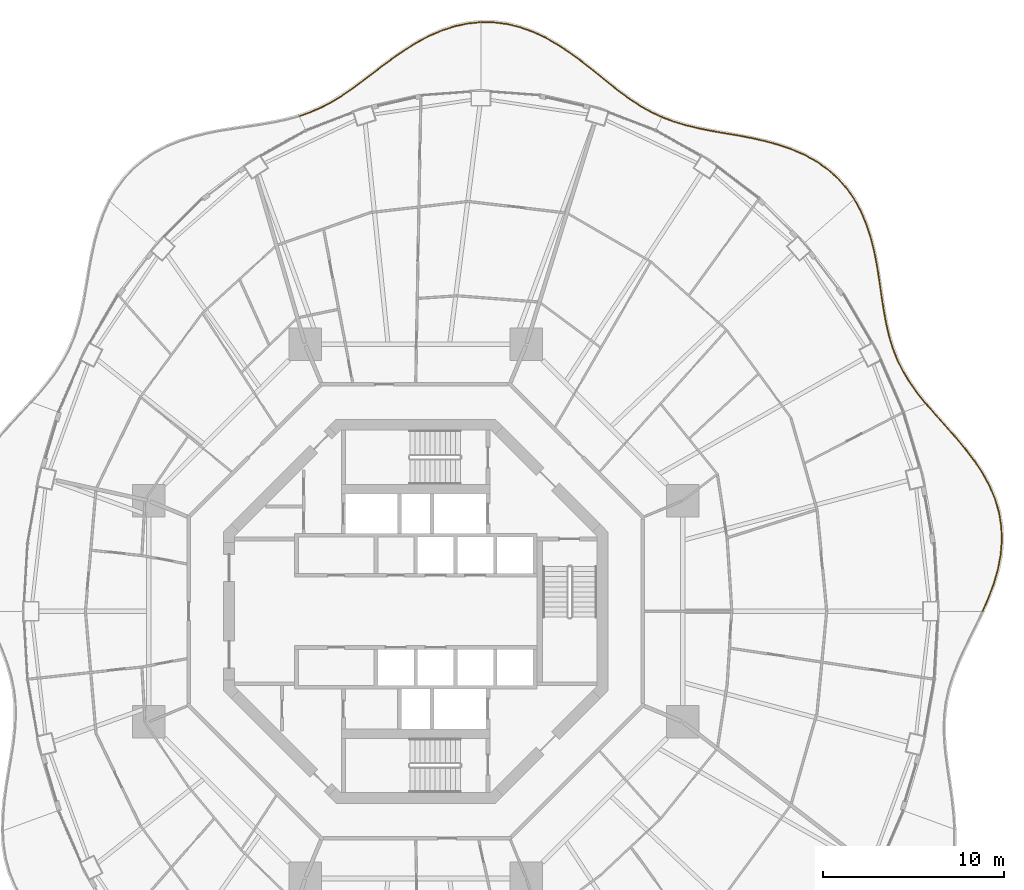
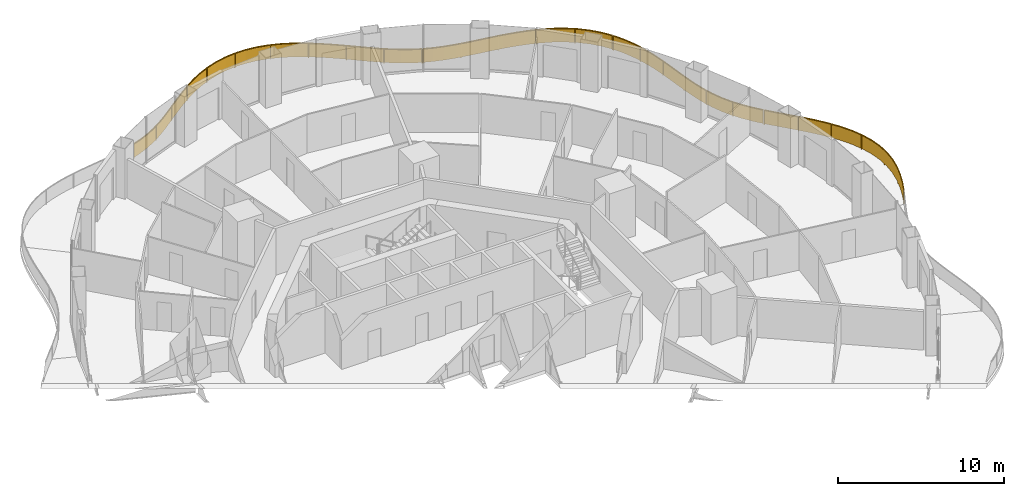
# One storey, part 19 of 19: 5 railings.
"""IFC4 building model written with IfcOpenShell, lengths in metres."""

from ifc_helpers import new_model, si_unit, direction, frame, origin, origin_2d, place, context, subcontext, project, spatial, polyline, rectangle, outline, extrude, material, type_object, element, save


model = new_model("IFC4")

# Units and contexts
model_context = context("Model", 3, precision=1e-05, world=origin(), true_north=direction((0.0, 1.0)))
body_context = subcontext(model_context, "Body", "Model", "MODEL_VIEW")
ifc_project = project(units=[si_unit("LENGTHUNIT", "METRE"), si_unit("AREAUNIT", "SQUARE_METRE"), si_unit("VOLUMEUNIT", "CUBIC_METRE"), si_unit("PLANEANGLEUNIT", "RADIAN"), si_unit("MASSUNIT", "GRAM", prefix="KILO")], contexts=[model_context])

# Site, building, storey
site_placement = place(None, origin())
site = spatial("IfcSite", under=ifc_project, at=site_placement, CompositionType="ELEMENT")
building_placement = place(site_placement, origin())
building = spatial("IfcBuilding", under=site, at=building_placement, Name="Nagisa Residences", CompositionType="ELEMENT")
storey_placement = place(building_placement, frame((0.0, 0.0, 188.10009765625)))
storey = spatial("IfcBuildingStorey", under=building, at=storey_placement, Name="L47", CompositionType="ELEMENT", Elevation=188.10009765625)

# Railings
ifc_material = material(Name="Stainless steel 316", Category="steel")
railing_type = type_object("IfcRailingType", Name="BALCONY GUARD 1100", PredefinedType="BALUSTRADE", material=ifc_material)
railing_1_placement = place(storey_placement, frame((31.377685546875, 0.034912109375, 0.0)))
element("IfcRailing", 1, at=railing_1_placement, inside=storey, type_object=railing_type, Name="guard:L47:bal00-0", PredefinedType="BALUSTRADE", context=body_context, shape_type="SweptSolid", body=[
    extrude(outline(polyline([(0.2939453125, 0.733154296875), (-0.02294921875, 0.010009765625), (0.02294921875, -0.010009765625), (0.34033203125, 0.714599609375), (0.6298828125, 1.494873046875), (0.8583984375, 2.28564453125), (1.010986328125, 3.082275390625), (1.07568359375, 3.8798828125), (1.046875, 4.657958984375), (0.918701171875, 5.4384765625), (0.6943359375, 6.2021484375), (0.379638671875, 6.943603515625), (-0.013916015625, 7.660400390625), (-0.469970703125, 8.337158203125), (-0.97802734375, 9.00146484375), (-1.516357421875, 9.64208984375), (-2.066650390625, 10.262939453125), (-2.610107421875, 10.8701171875), (-3.10302734375, 11.4365234375), (-3.140625, 11.40380859375), (-2.647705078125, 10.8369140625), (-2.104248046875, 10.229736328125), (-1.554443359375, 9.609375), (-1.01708984375, 8.97021484375), (-0.510498046875, 8.307861328125), (-0.056884765625, 7.634521484375), (0.334716796875, 6.921630859375), (0.64697265625, 6.18505859375), (0.869873046875, 5.42724609375), (0.9970703125, 4.653076171875), (1.025390625, 3.880859375), (0.961181640625, 3.089111328125), (0.8095703125, 2.29736328125), (0.58251953125, 1.510498046875), (0.2939453125, 0.733154296875)])), frame((0.0, 0.0, 1.050048828125)), (0.0, 0.0, 1.0), 0.050048828125),
    extrude(outline(polyline([(0.310546875, 0.7265625), (-0.00634765625, 0.0029296875), (0.00634765625, -0.0029296875), (0.32373046875, 0.72119140625), (0.61279296875, 1.50048828125), (0.8408203125, 2.289794921875), (0.992919921875, 3.084716796875), (1.0576171875, 3.880126953125), (1.029052734375, 4.65625), (0.901123046875, 5.434326171875), (0.67724609375, 6.196044921875), (0.363525390625, 6.935791015625), (-0.029296875, 7.651123046875), (-0.484619140625, 8.32666015625), (-0.9921875, 8.990234375), (-1.530029296875, 9.63037109375), (-2.080322265625, 10.2509765625), (-2.623779296875, 10.858154296875), (-3.116455078125, 11.4248046875), (-3.127197265625, 11.41552734375), (-2.634033203125, 10.848876953125), (-2.090576171875, 10.24169921875), (-1.540771484375, 9.62109375), (-1.0029296875, 8.9814453125), (-0.495849609375, 8.318359375), (-0.04150390625, 7.643798828125), (0.350830078125, 6.929443359375), (0.6640625, 6.191162109375), (0.887451171875, 5.431396484375), (1.014892578125, 4.65478515625), (1.04345703125, 3.880615234375), (0.979248046875, 3.086669921875), (0.8271484375, 2.293212890625), (0.599609375, 1.5048828125), (0.310546875, 0.7265625)])), frame((0.0, 0.0, 0.06005859375)), (0.0, 0.0, 1.0), 0.989990234375),
    extrude(rectangle(XDim=0.0400390625, YDim=0.0400390625, at=origin_2d()), origin(), (0.0, 0.0, 1.0), 1.050048828125),
    extrude(rectangle(XDim=0.0400390625, YDim=0.0400390625, at=origin_2d()), frame((0.753173828125, 2.01123046875, 0.0)), (0.0, 0.0, 1.0), 1.050048828125),
    extrude(rectangle(XDim=0.0400390625, YDim=0.0400390625, at=origin_2d()), frame((1.041259765625, 4.133056640625, 0.0)), (0.0, 0.0, 1.0), 1.050048828125),
    extrude(rectangle(XDim=0.0400390625, YDim=0.0400390625, at=origin_2d()), frame((0.65234375, 6.23681640625, 0.0)), (0.0, 0.0, 1.0), 1.050048828125),
    extrude(rectangle(XDim=0.0400390625, YDim=0.0400390625, at=origin_2d()), frame((-0.359130859375, 8.1279296875, 0.0)), (0.0, 0.0, 1.0), 1.050048828125),
    extrude(rectangle(XDim=0.0400390625, YDim=0.0400390625, at=origin_2d()), frame((-1.69775390625, 9.808837890625, 0.0)), (0.0, 0.0, 1.0), 1.050048828125),
    extrude(rectangle(XDim=0.0400390625, YDim=0.0400390625, at=origin_2d()), frame((-3.121826171875, 11.420166015625, 0.0)), (0.0, 0.0, 1.0), 1.050048828125),
])
railing_2_placement = place(storey_placement, frame((28.20703125, 11.51025390625, 0.0)))
element("IfcRailing", 2, at=railing_2_placement, inside=storey, type_object=railing_type, Name="guard:L47:bal01-0", PredefinedType="BALUSTRADE", context=body_context, shape_type="SweptSolid", body=[
    extrude(outline(polyline([(-0.4619140625, 0.533203125), (-0.01953125, -0.015625), (0.01953125, 0.015625), (-0.421875, 0.5634765625), (-0.843505859375, 1.15380859375), (-1.212646484375, 1.7587890625), (-1.5263671875, 2.38525390625), (-1.78564453125, 3.037841796875), (-1.98828125, 3.70703125), (-2.15576171875, 4.420166015625), (-2.291748046875, 5.162841796875), (-2.41015625, 5.931396484375), (-2.52490234375, 6.72021484375), (-2.643310546875, 7.50830078125), (-2.796875, 8.311279296875), (-2.99169921875, 9.10498046875), (-3.23974609375, 9.8779296875), (-3.55078125, 10.617919921875), (-3.906982421875, 11.272705078125), (-3.950927734375, 11.248779296875), (-3.595703125, 10.596435546875), (-3.28662109375, 9.8603515625), (-3.0400390625, 9.09130859375), (-2.845703125, 8.300537109375), (-2.692626953125, 7.5), (-2.57421875, 6.712890625), (-2.45947265625, 5.924072265625), (-2.341064453125, 5.154541015625), (-2.20458984375, 4.409912109375), (-2.03662109375, 3.69384765625), (-1.8330078125, 3.021240234375), (-1.572265625, 2.36474609375), (-1.256591796875, 1.734375), (-0.885498046875, 1.1259765625), (-0.4619140625, 0.533203125)])), frame((0.0, 0.0, 1.050048828125)), (0.0, 0.0, 1.0), 0.050048828125),
    extrude(outline(polyline([(-0.447509765625, 0.544189453125), (-0.00537109375, -0.00439453125), (0.00537109375, 0.00439453125), (-0.436279296875, 0.552490234375), (-0.858642578125, 1.143798828125), (-1.228515625, 1.75), (-1.54296875, 2.3779296875), (-1.802734375, 3.03173828125), (-2.005615234375, 3.7021484375), (-2.17333984375, 4.41650390625), (-2.3095703125, 5.159912109375), (-2.427978515625, 5.9287109375), (-2.542724609375, 6.717529296875), (-2.6611328125, 7.50537109375), (-2.814453125, 8.307373046875), (-3.009033203125, 9.10009765625), (-3.256591796875, 9.87158203125), (-3.56689453125, 10.610107421875), (-3.9228515625, 11.26416015625), (-3.93505859375, 11.25732421875), (-3.57958984375, 10.604248046875), (-3.269775390625, 9.86669921875), (-3.022705078125, 9.09619140625), (-2.828125, 8.304443359375), (-2.6748046875, 7.5029296875), (-2.556396484375, 6.715576171875), (-2.441650390625, 5.9267578125), (-2.3232421875, 5.157470703125), (-2.18701171875, 4.41357421875), (-2.019287109375, 3.69873046875), (-1.81591796875, 3.02734375), (-1.5556640625, 2.3720703125), (-1.24072265625, 1.7431640625), (-0.870361328125, 1.135986328125), (-0.447509765625, 0.544189453125)])), frame((0.0, 0.0, 0.06005859375)), (0.0, 0.0, 1.0), 0.989990234375),
    extrude(rectangle(XDim=0.0400390625, YDim=0.0400390625, at=origin_2d()), origin(), (0.0, 0.0, 1.0), 1.050048828125),
    extrude(rectangle(XDim=0.0400390625, YDim=0.0400390625, at=origin_2d()), frame((-1.169189453125, 1.639404296875, 0.0)), (0.0, 0.0, 1.0), 1.050048828125),
    extrude(rectangle(XDim=0.0400390625, YDim=0.0400390625, at=origin_2d()), frame((-1.949462890625, 3.492431640625, 0.0)), (0.0, 0.0, 1.0), 1.050048828125),
    extrude(rectangle(XDim=0.0400390625, YDim=0.0400390625, at=origin_2d()), frame((-2.363525390625, 5.464111328125, 0.0)), (0.0, 0.0, 1.0), 1.050048828125),
    extrude(rectangle(XDim=0.0400390625, YDim=0.0400390625, at=origin_2d()), frame((-2.6611328125, 7.458251953125, 0.0)), (0.0, 0.0, 1.0), 1.050048828125),
    extrude(rectangle(XDim=0.0400390625, YDim=0.0400390625, at=origin_2d()), frame((-3.119140625, 9.419921875, 0.0)), (0.0, 0.0, 1.0), 1.050048828125),
    extrude(rectangle(XDim=0.0400390625, YDim=0.0400390625, at=origin_2d()), frame((-3.928955078125, 11.2607421875, 0.0)), (0.0, 0.0, 1.0), 1.050048828125),
])
railing_3_placement = place(storey_placement, frame((24.237548828125, 22.837158203125, 0.0)))
element("IfcRailing", 3, at=railing_3_placement, inside=storey, type_object=railing_type, Name="guard:L47:bal02-0", PredefinedType="BALUSTRADE", context=body_context, shape_type="SweptSolid", body=[
    extrude(outline(polyline([(-0.421142578125, 0.557861328125), (-0.0205078125, -0.014404296875), (0.0205078125, 0.014404296875), (-0.381591796875, 0.589111328125), (-0.8779296875, 1.146728515625), (-1.437744140625, 1.643310546875), (-2.0556640625, 2.076171875), (-2.723388671875, 2.446044921875), (-3.419677734375, 2.745361328125), (-4.15869140625, 3.0), (-4.916748046875, 3.207763671875), (-5.683349609375, 3.37841796875), (-6.448486328125, 3.523681640625), (-7.18896484375, 3.646728515625), (-7.924560546875, 3.778564453125), (-8.636962890625, 3.922607421875), (-9.322265625, 4.08984375), (-9.97998046875, 4.29052734375), (-10.572509765625, 4.516357421875), (-10.590087890625, 4.469482421875), (-9.99609375, 4.2431640625), (-9.33544921875, 4.04150390625), (-8.647705078125, 3.873779296875), (-7.933837890625, 3.729248046875), (-7.197265625, 3.597412109375), (-6.457275390625, 3.474365234375), (-5.693603515625, 3.32958984375), (-4.928955078125, 3.158935546875), (-4.17333984375, 2.9521484375), (-3.437744140625, 2.698486328125), (-2.745361328125, 2.401123046875), (-2.08203125, 2.03369140625), (-1.468994140625, 1.603759765625), (-0.91357421875, 1.111083984375), (-0.421142578125, 0.557861328125)])), frame((0.0, 0.0, 1.050048828125)), (0.0, 0.0, 1.0), 0.050048828125),
    extrude(outline(polyline([(-0.406982421875, 0.569091796875), (-0.005615234375, -0.00390625), (0.005615234375, 0.00390625), (-0.395751953125, 0.577880859375), (-0.890869140625, 1.1337890625), (-1.448974609375, 1.629150390625), (-2.065185546875, 2.060791015625), (-2.731201171875, 2.429931640625), (-3.42626953125, 2.728515625), (-4.1640625, 2.982666015625), (-4.921142578125, 3.190185546875), (-5.68701171875, 3.36083984375), (-6.45166015625, 3.505859375), (-7.19189453125, 3.62890625), (-7.927978515625, 3.7607421875), (-8.640869140625, 3.905029296875), (-9.326904296875, 4.072509765625), (-9.98583984375, 4.2734375), (-10.578857421875, 4.49951171875), (-10.583740234375, 4.486328125), (-9.990234375, 4.26025390625), (-9.330810546875, 4.058837890625), (-8.643798828125, 3.891357421875), (-7.930419921875, 3.7470703125), (-7.1943359375, 3.615234375), (-6.4541015625, 3.4921875), (-5.68994140625, 3.34716796875), (-4.924560546875, 3.176513671875), (-4.16796875, 2.969482421875), (-3.43115234375, 2.71533203125), (-2.737548828125, 2.417236328125), (-2.072509765625, 2.049072265625), (-1.457763671875, 1.617919921875), (-0.900634765625, 1.1240234375), (-0.406982421875, 0.569091796875)])), frame((0.0, 0.0, 0.06005859375)), (0.0, 0.0, 1.0), 0.989990234375),
    extrude(rectangle(XDim=0.0400390625, YDim=0.0400390625, at=origin_2d()), origin(), (0.0, 0.0, 1.0), 1.050048828125),
    extrude(rectangle(XDim=0.0400390625, YDim=0.0400390625, at=origin_2d()), frame((-1.60009765625, 1.726318359375, 0.0)), (0.0, 0.0, 1.0), 1.050048828125),
    extrude(rectangle(XDim=0.0400390625, YDim=0.0400390625, at=origin_2d()), frame((-3.692626953125, 2.81298828125, 0.0)), (0.0, 0.0, 1.0), 1.050048828125),
    extrude(rectangle(XDim=0.0400390625, YDim=0.0400390625, at=origin_2d()), frame((-5.9814453125, 3.40966796875, 0.0)), (0.0, 0.0, 1.0), 1.050048828125),
    extrude(rectangle(XDim=0.0400390625, YDim=0.0400390625, at=origin_2d()), frame((-8.3115234375, 3.831298828125, 0.0)), (0.0, 0.0, 1.0), 1.050048828125),
    extrude(rectangle(XDim=0.0400390625, YDim=0.0400390625, at=origin_2d()), frame((-10.581298828125, 4.492919921875, 0.0)), (0.0, 0.0, 1.0), 1.050048828125),
])
railing_4_placement = place(storey_placement, frame((13.5927734375, 27.3564453125, 0.0)))
element("IfcRailing", 4, at=railing_4_placement, inside=storey, type_object=railing_type, Name="guard:L47:bal03-0", PredefinedType="BALUSTRADE", context=body_context, shape_type="SweptSolid", body=[
    extrude(outline(polyline([(-0.56103515625, 0.235595703125), (-0.0107421875, -0.022705078125), (0.0107421875, 0.022705078125), (-0.5380859375, 0.280029296875), (-1.1083984375, 0.59912109375), (-1.66796875, 0.96044921875), (-2.222900390625, 1.360107421875), (-2.779052734375, 1.791748046875), (-3.326904296875, 2.24072265625), (-3.9052734375, 2.705810546875), (-4.501708984375, 3.169677734375), (-5.120361328125, 3.617919921875), (-5.761962890625, 4.036865234375), (-6.411376953125, 4.41015625), (-7.098876953125, 4.72998046875), (-7.806884765625, 4.98291015625), (-8.53076171875, 5.16015625), (-9.2646484375, 5.25537109375), (-9.953857421875, 5.2646484375), (-9.954345703125, 5.21484375), (-9.26806640625, 5.20556640625), (-8.5400390625, 5.11083984375), (-7.821533203125, 4.93505859375), (-7.117919921875, 4.68359375), (-6.434326171875, 4.36572265625), (-5.788330078125, 3.994384765625), (-5.148681640625, 3.576904296875), (-4.531982421875, 3.129638671875), (-3.9365234375, 2.666748046875), (-3.358642578125, 2.20166015625), (-2.810302734375, 1.752685546875), (-2.252685546875, 1.320068359375), (-1.6962890625, 0.9189453125), (-1.13427734375, 0.55615234375), (-0.56103515625, 0.235595703125)])), frame((0.0, 0.0, 1.050048828125)), (0.0, 0.0, 1.0), 0.050048828125),
    extrude(outline(polyline([(-0.552734375, 0.25146484375), (-0.0029296875, -0.00634765625), (0.0029296875, 0.00634765625), (-0.54638671875, 0.26416015625), (-1.11767578125, 0.583740234375), (-1.67822265625, 0.945556640625), (-2.233642578125, 1.345703125), (-2.790283203125, 1.777587890625), (-3.33837890625, 2.2265625), (-3.91650390625, 2.691650390625), (-4.5126953125, 3.1552734375), (-5.130615234375, 3.603271484375), (-5.771484375, 4.021484375), (-6.419677734375, 4.39404296875), (-7.105712890625, 4.71337890625), (-7.812255859375, 4.965576171875), (-8.5341796875, 5.142333984375), (-9.265869140625, 5.237548828125), (-9.9541015625, 5.246826171875), (-9.9541015625, 5.232666015625), (-9.266845703125, 5.223388671875), (-8.53662109375, 5.128662109375), (-7.816162109375, 4.952392578125), (-7.111083984375, 4.7001953125), (-6.426025390625, 4.3818359375), (-5.77880859375, 4.009765625), (-5.138427734375, 3.591552734375), (-4.52099609375, 3.14404296875), (-3.92529296875, 2.680908203125), (-3.34716796875, 2.2158203125), (-2.799072265625, 1.766845703125), (-2.241943359375, 1.33447265625), (-1.68603515625, 0.933837890625), (-1.125, 0.571533203125), (-0.552734375, 0.25146484375)])), frame((0.0, 0.0, 0.06005859375)), (0.0, 0.0, 1.0), 0.989990234375),
    extrude(rectangle(XDim=0.0400390625, YDim=0.0400390625, at=origin_2d()), origin(), (0.0, 0.0, 1.0), 1.050048828125),
    extrude(rectangle(XDim=0.0400390625, YDim=0.0400390625, at=origin_2d()), frame((-1.978271484375, 1.153076171875, 0.0)), (0.0, 0.0, 1.0), 1.050048828125),
    extrude(rectangle(XDim=0.0400390625, YDim=0.0400390625, at=origin_2d()), frame((-3.780029296875, 2.572998046875, 0.0)), (0.0, 0.0, 1.0), 1.050048828125),
    extrude(rectangle(XDim=0.0400390625, YDim=0.0400390625, at=origin_2d()), frame((-5.633544921875, 3.923095703125, 0.0)), (0.0, 0.0, 1.0), 1.050048828125),
    extrude(rectangle(XDim=0.0400390625, YDim=0.0400390625, at=origin_2d()), frame((-7.6943359375, 4.916259765625, 0.0)), (0.0, 0.0, 1.0), 1.050048828125),
    extrude(rectangle(XDim=0.0400390625, YDim=0.0400390625, at=origin_2d()), frame((-9.9541015625, 5.23974609375, 0.0)), (0.0, 0.0, 1.0), 1.050048828125),
])
railing_5_placement = place(storey_placement, frame((3.5615234375, 32.5927734375, 0.0)))
element("IfcRailing", 5, at=railing_5_placement, inside=storey, type_object=railing_type, Name="guard:L47:bal04-0", PredefinedType="BALUSTRADE", context=body_context, shape_type="SweptSolid", body=[
    extrude(outline(polyline([(-0.68212890625, -0.09521484375), (0.00244140625, -0.02490234375), (-0.00244140625, 0.02490234375), (-0.68994140625, -0.0458984375), (-1.41845703125, -0.203125), (-2.13330078125, -0.4365234375), (-2.83056640625, -0.737060546875), (-3.506591796875, -1.094482421875), (-4.14306640625, -1.492919921875), (-4.773681640625, -1.923828125), (-5.383056640625, -2.37109375), (-5.97412109375, -2.820068359375), (-6.55126953125, -3.25830078125), (-7.1025390625, -3.669189453125), (-7.668212890625, -4.0537109375), (-8.237548828125, -4.3994140625), (-8.81640625, -4.702392578125), (-9.4111328125, -4.961669921875), (-9.9853515625, -5.163818359375), (-9.96875, -5.211181640625), (-9.392578125, -5.008056640625), (-8.794921875, -4.747802734375), (-8.213134765625, -4.44287109375), (-7.641357421875, -4.095703125), (-7.07373046875, -3.710205078125), (-6.52099609375, -3.29833984375), (-5.94384765625, -2.860107421875), (-5.353271484375, -2.4111328125), (-4.744873046875, -1.96484375), (-4.11572265625, -1.534912109375), (-3.481689453125, -1.137939453125), (-2.80908203125, -0.782470703125), (-2.11572265625, -0.4833984375), (-1.4052734375, -0.25146484375), (-0.68212890625, -0.09521484375)])), frame((0.0, 0.0, 1.050048828125)), (0.0, 0.0, 1.0), 0.050048828125),
    extrude(outline(polyline([(-0.684814453125, -0.077392578125), (0.000732421875, -0.007080078125), (-0.000732421875, 0.007080078125), (-0.687255859375, -0.063720703125), (-1.41357421875, -0.220458984375), (-2.126953125, -0.453369140625), (-2.82275390625, -0.75341796875), (-3.49755859375, -1.110107421875), (-4.13330078125, -1.508056640625), (-4.763427734375, -1.938720703125), (-5.372314453125, -2.385498046875), (-5.963134765625, -2.83447265625), (-6.540283203125, -3.272705078125), (-7.09228515625, -3.68408203125), (-7.65869140625, -4.06884765625), (-8.228759765625, -4.4150390625), (-8.80859375, -4.71875), (-9.404541015625, -4.978271484375), (-9.9794921875, -5.180908203125), (-9.974609375, -5.194091796875), (-9.399169921875, -4.991455078125), (-8.802734375, -4.7314453125), (-8.221923828125, -4.42724609375), (-7.65087890625, -4.08056640625), (-7.083984375, -3.6953125), (-6.531982421875, -3.283935546875), (-5.954833984375, -2.845703125), (-5.364013671875, -2.396728515625), (-4.755126953125, -1.949951171875), (-4.12548828125, -1.519775390625), (-3.49072265625, -1.122314453125), (-2.81689453125, -0.76611328125), (-2.1220703125, -0.466552734375), (-1.41015625, -0.234130859375), (-0.684814453125, -0.077392578125)])), frame((0.0, 0.0, 0.06005859375)), (0.0, 0.0, 1.0), 0.989990234375),
    extrude(rectangle(XDim=0.0400390625, YDim=0.0400390625, at=origin_2d()), origin(), (0.0, 0.0, 1.0), 1.050048828125),
    extrude(rectangle(XDim=0.0400390625, YDim=0.0400390625, at=origin_2d()), frame((-2.213134765625, -0.498291015625, 0.0)), (0.0, 0.0, 1.0), 1.050048828125),
    extrude(rectangle(XDim=0.0400390625, YDim=0.0400390625, at=origin_2d()), frame((-4.216552734375, -1.573486328125, 0.0)), (0.0, 0.0, 1.0), 1.050048828125),
    extrude(rectangle(XDim=0.0400390625, YDim=0.0400390625, at=origin_2d()), frame((-6.0576171875, -2.9150390625, 0.0)), (0.0, 0.0, 1.0), 1.050048828125),
    extrude(rectangle(XDim=0.0400390625, YDim=0.0400390625, at=origin_2d()), frame((-7.914794921875, -4.232666015625, 0.0)), (0.0, 0.0, 1.0), 1.050048828125),
    extrude(rectangle(XDim=0.0400390625, YDim=0.0400390625, at=origin_2d()), frame((-9.97705078125, -5.1875, 0.0)), (0.0, 0.0, 1.0), 1.050048828125),
])

save(model, "model.ifc")
